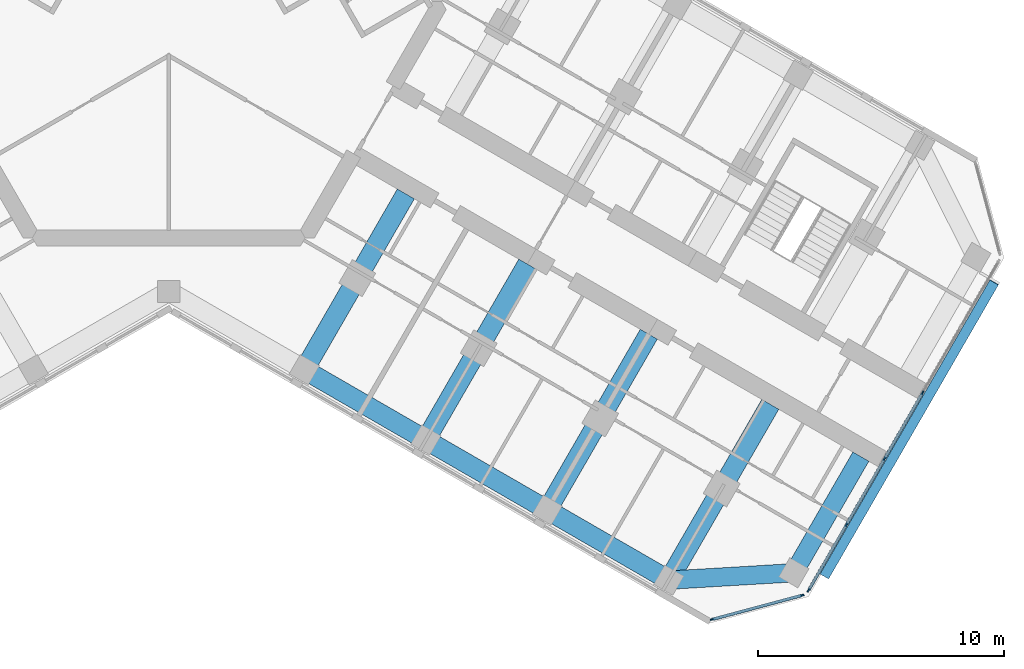
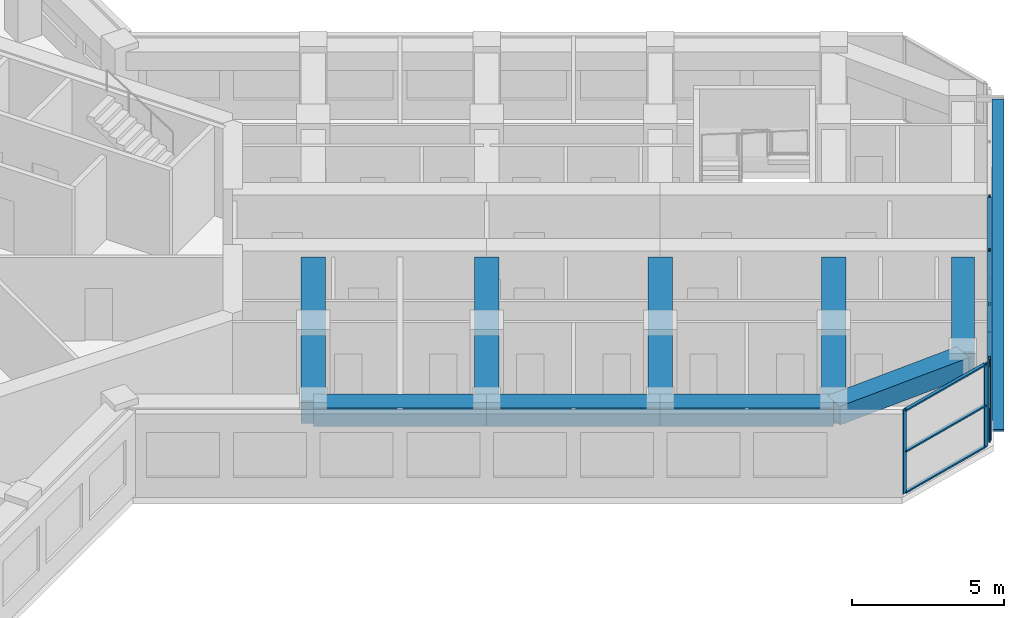
# One storey, part 4 of 16: 16 members, 9 beams, 2 elements without a shape of their own.
"""IFC4 building model written with IfcOpenShell, lengths in metres."""

from ifc_helpers import new_model, si_unit, direction, frame, origin, origin_2d, place, context, subcontext, project, spatial, rectangle, extrude, material, material_profile, profile_set, type_object, element, aggregate, save


model = new_model("IFC4")

# Units and contexts
model_context = context("Model", 3, precision=1e-05, world=origin(), true_north=direction((0.0, 1.0)))
body_context = subcontext(model_context, "Body", "Model", "MODEL_VIEW")
ifc_project = project(units=[si_unit("LENGTHUNIT", "METRE"), si_unit("AREAUNIT", "SQUARE_METRE"), si_unit("VOLUMEUNIT", "CUBIC_METRE"), si_unit("PLANEANGLEUNIT", "RADIAN"), si_unit("MASSUNIT", "GRAM", prefix="KILO")], contexts=[model_context])

# Site, building, storey
site_placement = place(None, origin())
site = spatial("IfcSite", under=ifc_project, at=site_placement, CompositionType="ELEMENT")
building_placement = place(site_placement, origin())
building = spatial("IfcBuilding", under=site, at=building_placement, Name="Kosmar Iwan School Tower", CompositionType="ELEMENT")
storey_placement = place(building_placement, frame((0.0, 0.0, 222.60009765625)))
storey = spatial("IfcBuildingStorey", under=building, at=storey_placement, Name="L56", CompositionType="ELEMENT", Elevation=222.60009765625)

# Member
ifc_material_1 = material(Name="Black anodised aluminium", Category="aluminium")
ifc_material_profile_1 = material_profile(ifc_material_1, rectangle(XDim=0.10009765625, YDim=0.39990234375, at=origin_2d()), Name="FIN 100x400")
ifc_profile_set_1 = profile_set([ifc_material_profile_1], Name="Black anodised aluminium")
member_type_1 = type_object("IfcMemberType", Name="Diagonal fin 100x400", PredefinedType="USERDEFINED", material=ifc_profile_set_1)
member_1_placement = place(storey_placement, frame((26.645263671875, -23.34912109375, -0.150146484375), z_axis=(0.483793446988, 0.837970316603, 0.25248692866), x_axis=(-0.126241714543, -0.218661104574, 0.96760030532)))
element("IfcMember", 1, at=member_1_placement, inside=storey, type_object=member_type_1, Name="Diagonal fin L56-F01", ObjectType="FIN", PredefinedType="USERDEFINED", context=body_context, shape_type="SweptSolid", body=[
    extrude(rectangle(XDim=0.10009765625, YDim=0.39990234375, at=origin_2d()), origin(), (0.0, 0.0, 1.0), 14.258544921875),
])

# Curtain wall, members
ifc_material_2 = material(Name="Dark glass in black aluminium frame", Category="aluminium")
curtain_wall_type_1 = type_object("IfcCurtainWallType", Name="Chamfer curtain wall dark glass", PredefinedType="USERDEFINED", material=ifc_material_2)
curtain_wall_1_placement = place(storey_placement, origin())
curtain_wall_1 = element("IfcCurtainWall", 2, at=curtain_wall_1_placement, inside=storey, type_object=curtain_wall_type_1, Name="Curtain wall L56-F00", ObjectType="FACETED CURTAIN WALL", PredefinedType="USERDEFINED")
ifc_material_3 = material(Name="Black anodised aluminium", Category="aluminium")
ifc_material_profile_2 = material_profile(ifc_material_3, rectangle(XDim=0.06005859375, YDim=0.159912109375, at=origin_2d()), Name="MULLION 60x160")
ifc_profile_set_2 = profile_set([ifc_material_profile_2], Name="Black anodised aluminium")
member_type_2 = type_object("IfcMemberType", Name="Mullion 60x160", PredefinedType="MULLION", material=ifc_profile_set_2)
member_2_placement = place(storey_placement, frame((22.0830078125, -25.102294921875, 0.0), z_axis=(0.0, 0.0, 1.0), x_axis=(-0.258818861462, 0.965925875495, 0.0)))
member_2 = element("IfcMember", 3, at=member_2_placement, type_object=member_type_2, Name="CW2 mullion 1", PredefinedType="MULLION", context=body_context, shape_type="SweptSolid", body=[
    extrude(rectangle(XDim=0.06005859375, YDim=0.159912109375, at=origin_2d()), origin(), (0.0, 0.0, 1.0), 3.349853515625),
])
member_3_placement = place(storey_placement, frame((25.733154296875, -24.124267578125, 0.0), z_axis=(0.0, 0.0, 1.0), x_axis=(-0.258818861462, 0.965925875495, 0.0)))
member_3 = element("IfcMember", 4, at=member_3_placement, type_object=member_type_2, Name="CW2 mullion 2", PredefinedType="MULLION", context=body_context, shape_type="SweptSolid", body=[
    extrude(rectangle(XDim=0.06005859375, YDim=0.159912109375, at=origin_2d()), origin(), (0.0, 0.0, 1.0), 3.349853515625),
])

ifc_material_4 = material(Name="Dark glass in black aluminium frame", Category="aluminium")
curtain_wall_type_2 = type_object("IfcCurtainWallType", Name="Tower curtain wall dark glass", PredefinedType="USERDEFINED", material=ifc_material_4)
curtain_wall_2_placement = place(storey_placement, origin())
curtain_wall_2 = element("IfcCurtainWall", 5, at=curtain_wall_2_placement, inside=storey, type_object=curtain_wall_type_2, Name="Curtain wall L56-F01", ObjectType="UNITISED CURTAIN WALL", PredefinedType="USERDEFINED")
member_4_placement = place(storey_placement, frame((25.9970703125, -23.921630859375, 0.0), z_axis=(0.0, 0.0, 1.0), x_axis=(-0.866025405329, 0.499999997325, 0.0)))
member_4 = element("IfcMember", 6, at=member_4_placement, type_object=member_type_2, Name="CW1 mullion 1", PredefinedType="MULLION", context=body_context, shape_type="SweptSolid", body=[
    extrude(rectangle(XDim=0.06005859375, YDim=0.159912109375, at=origin_2d()), origin(), (0.0, 0.0, 1.0), 3.349853515625),
])
member_5_placement = place(storey_placement, frame((27.53173828125, -21.263671875, 0.0), z_axis=(0.0, 0.0, 1.0), x_axis=(-0.866025405329, 0.499999997325, 0.0)))
member_5 = element("IfcMember", 7, at=member_5_placement, type_object=member_type_2, Name="CW1 mullion 2", PredefinedType="MULLION", context=body_context, shape_type="SweptSolid", body=[
    extrude(rectangle(XDim=0.06005859375, YDim=0.159912109375, at=origin_2d()), origin(), (0.0, 0.0, 1.0), 3.349853515625),
])
member_6_placement = place(storey_placement, frame((29.081298828125, -18.57958984375, 0.0), z_axis=(0.0, 0.0, 1.0), x_axis=(-0.866025405329, 0.499999997325, 0.0)))
member_6 = element("IfcMember", 8, at=member_6_placement, type_object=member_type_2, Name="CW1 mullion 3", PredefinedType="MULLION", context=body_context, shape_type="SweptSolid", body=[
    extrude(rectangle(XDim=0.06005859375, YDim=0.159912109375, at=origin_2d()), origin(), (0.0, 0.0, 1.0), 3.349853515625),
])
member_7_placement = place(storey_placement, frame((30.631103515625, -15.8955078125, 0.0), z_axis=(0.0, 0.0, 1.0), x_axis=(-0.866025405329, 0.499999997325, 0.0)))
member_7 = element("IfcMember", 9, at=member_7_placement, type_object=member_type_2, Name="CW1 mullion 4", PredefinedType="MULLION", context=body_context, shape_type="SweptSolid", body=[
    extrude(rectangle(XDim=0.06005859375, YDim=0.159912109375, at=origin_2d()), origin(), (0.0, 0.0, 1.0), 3.349853515625),
])

# Beams
ifc_material_5 = material(Name="Concrete C50/60", Category="concrete")
ifc_material_profile_3 = material_profile(ifc_material_5, rectangle(XDim=0.800048828125, YDim=0.75, at=origin_2d()), Name="RC 800x750")
ifc_profile_set_3 = profile_set([ifc_material_profile_3], Name="Concrete C50/60")
beam_type_1 = type_object("IfcBeamType", Name="RC edge beam 800x750", PredefinedType="BEAM", material=ifc_profile_set_3)
beam_1_placement = place(storey_placement, frame((5.5087890625, -14.95849609375, 2.974853515625), z_axis=(0.866033658841, -0.49998570155, 0.0), x_axis=(0.49998570155, 0.866033658841, 0.0)))
element("IfcBeam", 10, at=beam_1_placement, inside=storey, type_object=beam_type_1, Name="Edge beam CR2", PredefinedType="BEAM", context=body_context, shape_type="SweptSolid", body=[
    extrude(rectangle(XDim=0.800048828125, YDim=0.75, at=origin_2d()), origin(), (0.0, 0.0, 1.0), 5.699951171875),
])
beam_2_placement = place(storey_placement, frame((10.445068359375, -17.808349609375, 2.974853515625), z_axis=(0.866025820012, -0.499999279071, 0.0), x_axis=(0.499999279071, 0.866025820012, 0.0)))
element("IfcBeam", 11, at=beam_2_placement, inside=storey, type_object=beam_type_1, Name="Edge beam CR3", PredefinedType="BEAM", context=body_context, shape_type="SweptSolid", body=[
    extrude(rectangle(XDim=0.800048828125, YDim=0.75, at=origin_2d()), origin(), (0.0, 0.0, 1.0), 5.7001953125),
])
beam_3_placement = place(storey_placement, frame((15.381591796875, -20.658447265625, 2.974853515625), z_axis=(0.866015111908, -0.50001782563, 0.0), x_axis=(0.50001782563, 0.866015111908, 0.0)))
element("IfcBeam", 12, at=beam_3_placement, inside=storey, type_object=beam_type_1, Name="Edge beam CR4", PredefinedType="BEAM", context=body_context, shape_type="SweptSolid", body=[
    extrude(rectangle(XDim=0.800048828125, YDim=0.75, at=origin_2d()), origin(), (0.0, 0.0, 1.0), 5.699951171875),
])
ifc_material_6 = material(Name="Concrete C50/60", Category="concrete")
ifc_material_profile_4 = material_profile(ifc_material_6, rectangle(XDim=0.75, YDim=0.75, at=origin_2d()), Name="RC 750x750")
ifc_profile_set_4 = profile_set([ifc_material_profile_4], Name="Concrete C50/60")
beam_type_2 = type_object("IfcBeamType", Name="RC tip beam 750x750", PredefinedType="BEAM", material=ifc_profile_set_4)
beam_4_placement = place(storey_placement, frame((20.31787109375, -23.508544921875, 2.974853515625), z_axis=(0.998260616478, 0.058955420358, 0.0), x_axis=(-0.058955420358, 0.998260616478, 0.0)))
element("IfcBeam", 13, at=beam_4_placement, inside=storey, type_object=beam_type_2, Name="Tip beam CR", PredefinedType="BEAM", context=body_context, shape_type="SweptSolid", body=[
    extrude(rectangle(XDim=0.75, YDim=0.75, at=origin_2d()), origin(), (0.0, 0.0, 1.0), 5.08935546875),
])
beam_5_placement = place(storey_placement, frame((25.3984375, -23.20849609375, 2.974853515625), z_axis=(0.500022328685, 0.866012511928, 0.0), x_axis=(-0.866012511928, 0.500022328685, 0.0)))
element("IfcBeam", 14, at=beam_5_placement, inside=storey, type_object=beam_type_2, Name="Tip beam CR to corridor wall", PredefinedType="BEAM", context=body_context, shape_type="SweptSolid", body=[
    extrude(rectangle(XDim=0.75, YDim=0.75, at=origin_2d()), origin(), (0.0, 0.0, 1.0), 5.449951171875),
])
ifc_material_7 = material(Name="Concrete C50/60", Category="concrete")
ifc_material_profile_5 = material_profile(ifc_material_7, rectangle(XDim=0.800048828125, YDim=0.89990234375, at=origin_2d()), Name="RC 800x900")
ifc_profile_set_5 = profile_set([ifc_material_profile_5], Name="Concrete C50/60")
beam_type_3 = type_object("IfcBeamType", Name="RC transverse beam 800x900", PredefinedType="BEAM", material=ifc_profile_set_5)
beam_6_placement = place(storey_placement, frame((5.5087890625, -14.95849609375, 2.89990234375), z_axis=(0.499996545922, 0.866027397988, 0.0), x_axis=(-0.866027397988, 0.499996545922, 0.0)))
element("IfcBeam", 15, at=beam_6_placement, inside=storey, type_object=beam_type_3, Name="Transverse beam CR1", PredefinedType="BEAM", context=body_context, shape_type="SweptSolid", body=[
    extrude(rectangle(XDim=0.800048828125, YDim=0.89990234375, at=origin_2d()), origin(), (0.0, 0.0, 1.0), 8.25),
])
beam_7_placement = place(storey_placement, frame((10.445068359375, -17.808349609375, 2.89990234375), z_axis=(0.500009360108, 0.866019999656, 0.0), x_axis=(-0.866019999656, 0.500009360108, 0.0)))
element("IfcBeam", 16, at=beam_7_placement, inside=storey, type_object=beam_type_3, Name="Transverse beam CR2", PredefinedType="BEAM", context=body_context, shape_type="SweptSolid", body=[
    extrude(rectangle(XDim=0.800048828125, YDim=0.89990234375, at=origin_2d()), origin(), (0.0, 0.0, 1.0), 8.249755859375),
])
for number, where, z_axis, x_axis, name in (
    (17, (15.381591796875, -20.658447265625, 2.89990234375), (0.499996545922, 0.866027397988, 0.0), (-0.866027397988, 0.499996545922, 0.0), "Transverse beam CR3"),
    (18, (20.31787109375, -23.508544921875, 2.89990234375), (0.499996545922, 0.866027397988, 0.0), (-0.866027397988, 0.499996545922, 0.0), "Transverse beam CR4"),
):
    element("IfcBeam", number, at=place(storey_placement, frame(where, z_axis=z_axis, x_axis=x_axis)), inside=storey, type_object=beam_type_3, Name=name, PredefinedType="BEAM", context=body_context, shape_type="SweptSolid", body=[
        extrude(rectangle(XDim=0.800048828125, YDim=0.89990234375, at=origin_2d()), origin(), (0.0, 0.0, 1.0), 8.25),
    ])

# Member
ifc_material_8 = material(Name="Black anodised aluminium", Category="aluminium")
ifc_material_profile_6 = material_profile(ifc_material_8, rectangle(XDim=0.1201171875, YDim=0.06005859375, at=origin_2d()), Name="TRANSOM 60x120")
ifc_profile_set_6 = profile_set([ifc_material_profile_6], Name="Black anodised aluminium")
member_type_3 = type_object("IfcMemberType", Name="Transom 60x120", PredefinedType="USERDEFINED", material=ifc_profile_set_6)
member_8_placement = place(storey_placement, frame((22.11181640625, -25.094482421875, 0.02978515625), z_axis=(0.965923731726, 0.258826861991, 0.0), x_axis=(-0.258826861991, 0.965923731726, 0.0)))
member_8 = element("IfcMember", 19, at=member_8_placement, type_object=member_type_3, Name="CW2 transom 1.1", ObjectType="TRANSOM", PredefinedType="USERDEFINED", context=body_context, shape_type="SweptSolid", body=[
    extrude(rectangle(XDim=0.1201171875, YDim=0.06005859375, at=origin_2d()), origin(), (0.0, 0.0, 1.0), 3.71923828125),
])

member_9_placement = place(storey_placement, frame((22.11181640625, -25.094482421875, 1.6748046875), z_axis=(0.965923731726, 0.258826861991, 0.0), x_axis=(-0.258826861991, 0.965923731726, 0.0)))
member_9 = element("IfcMember", 20, at=member_9_placement, type_object=member_type_3, Name="CW2 transom 1.2", ObjectType="TRANSOM", PredefinedType="USERDEFINED", context=body_context, shape_type="SweptSolid", body=[
    extrude(rectangle(XDim=0.1201171875, YDim=0.06005859375, at=origin_2d()), origin(), (0.0, 0.0, 1.0), 3.71923828125),
])

member_10_placement = place(storey_placement, frame((22.11181640625, -25.094482421875, 3.31982421875), z_axis=(0.965923731726, 0.258826861991, 0.0), x_axis=(-0.258826861991, 0.965923731726, 0.0)))
member_10 = element("IfcMember", 21, at=member_10_placement, type_object=member_type_3, Name="CW2 transom 1.3", ObjectType="TRANSOM", PredefinedType="USERDEFINED", context=body_context, shape_type="SweptSolid", body=[
    extrude(rectangle(XDim=0.1201171875, YDim=0.06005859375, at=origin_2d()), origin(), (0.0, 0.0, 1.0), 3.71923828125),
])

aggregate(curtain_wall_1, [member_2, member_3, member_8, member_9, member_10])

member_11_placement = place(storey_placement, frame((26.01220703125, -23.895751953125, 0.02978515625), z_axis=(0.499986971506, 0.866032925658, 0.0), x_axis=(-0.866032925658, 0.499986971506, 0.0)))
member_11 = element("IfcMember", 22, at=member_11_placement, type_object=member_type_3, Name="CW1 transom 1.1", ObjectType="TRANSOM", PredefinedType="USERDEFINED", context=body_context, shape_type="SweptSolid", body=[
    extrude(rectangle(XDim=0.1201171875, YDim=0.06005859375, at=origin_2d()), origin(), (0.0, 0.0, 1.0), 3.00927734375),
])

member_12_placement = place(storey_placement, frame((26.01220703125, -23.895751953125, 3.31982421875), z_axis=(0.499986971506, 0.866032925658, 0.0), x_axis=(-0.866032925658, 0.499986971506, 0.0)))
member_12 = element("IfcMember", 23, at=member_12_placement, type_object=member_type_3, Name="CW1 transom 1.2", ObjectType="TRANSOM", PredefinedType="USERDEFINED", context=body_context, shape_type="SweptSolid", body=[
    extrude(rectangle(XDim=0.1201171875, YDim=0.06005859375, at=origin_2d()), origin(), (0.0, 0.0, 1.0), 3.00927734375),
])

member_13_placement = place(storey_placement, frame((27.546875, -21.237548828125, 0.02978515625), z_axis=(0.499975102327, 0.866039777986, 0.0), x_axis=(-0.866039777986, 0.499975102327, 0.0)))
member_13 = element("IfcMember", 24, at=member_13_placement, type_object=member_type_3, Name="CW1 transom 2.1", ObjectType="TRANSOM", PredefinedType="USERDEFINED", context=body_context, shape_type="SweptSolid", body=[
    extrude(rectangle(XDim=0.1201171875, YDim=0.06005859375, at=origin_2d()), origin(), (0.0, 0.0, 1.0), 3.039306640625),
])

member_14_placement = place(storey_placement, frame((27.546875, -21.237548828125, 3.31982421875), z_axis=(0.499975102327, 0.866039777986, 0.0), x_axis=(-0.866039777986, 0.499975102327, 0.0)))
member_14 = element("IfcMember", 25, at=member_14_placement, type_object=member_type_3, Name="CW1 transom 2.2", ObjectType="TRANSOM", PredefinedType="USERDEFINED", context=body_context, shape_type="SweptSolid", body=[
    extrude(rectangle(XDim=0.1201171875, YDim=0.06005859375, at=origin_2d()), origin(), (0.0, 0.0, 1.0), 3.039306640625),
])

member_15_placement = place(storey_placement, frame((29.096435546875, -18.553466796875, 0.02978515625), z_axis=(0.499975102327, 0.866039777986, 0.0), x_axis=(-0.866039777986, 0.499975102327, 0.0)))
member_15 = element("IfcMember", 26, at=member_15_placement, type_object=member_type_3, Name="CW1 transom 3.1", ObjectType="TRANSOM", PredefinedType="USERDEFINED", context=body_context, shape_type="SweptSolid", body=[
    extrude(rectangle(XDim=0.1201171875, YDim=0.06005859375, at=origin_2d()), origin(), (0.0, 0.0, 1.0), 3.039306640625),
])

member_16_placement = place(storey_placement, frame((29.096435546875, -18.553466796875, 3.31982421875), z_axis=(0.499975102327, 0.866039777986, 0.0), x_axis=(-0.866039777986, 0.499975102327, 0.0)))
member_16 = element("IfcMember", 27, at=member_16_placement, type_object=member_type_3, Name="CW1 transom 3.2", ObjectType="TRANSOM", PredefinedType="USERDEFINED", context=body_context, shape_type="SweptSolid", body=[
    extrude(rectangle(XDim=0.1201171875, YDim=0.06005859375, at=origin_2d()), origin(), (0.0, 0.0, 1.0), 3.039306640625),
])

aggregate(curtain_wall_2, [member_4, member_5, member_6, member_7, member_11, member_12, member_13, member_14, member_15, member_16])

save(model, "model.ifc")
